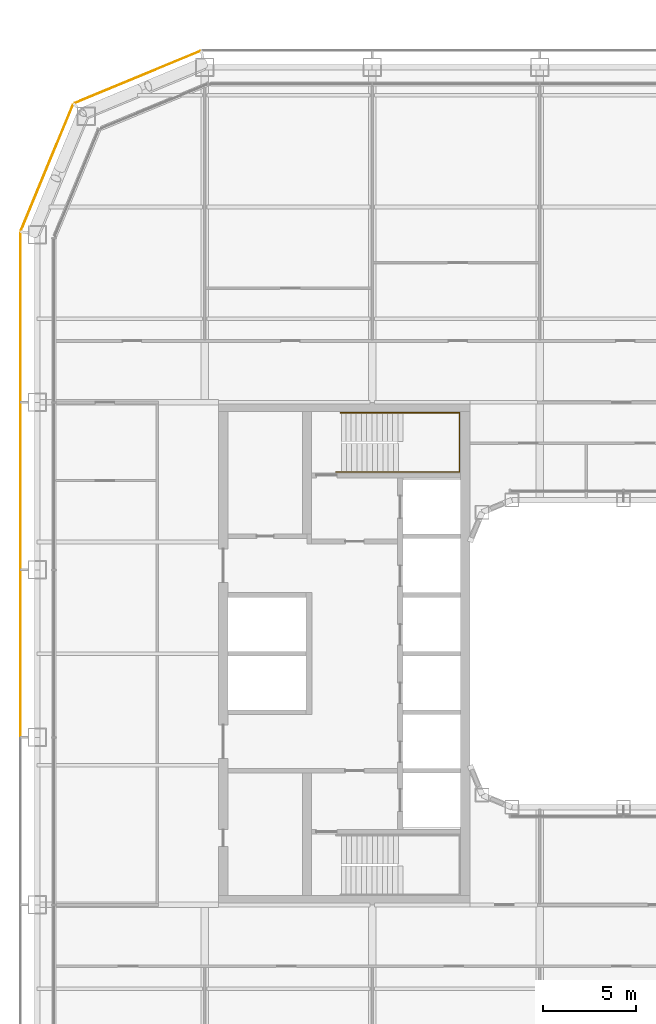
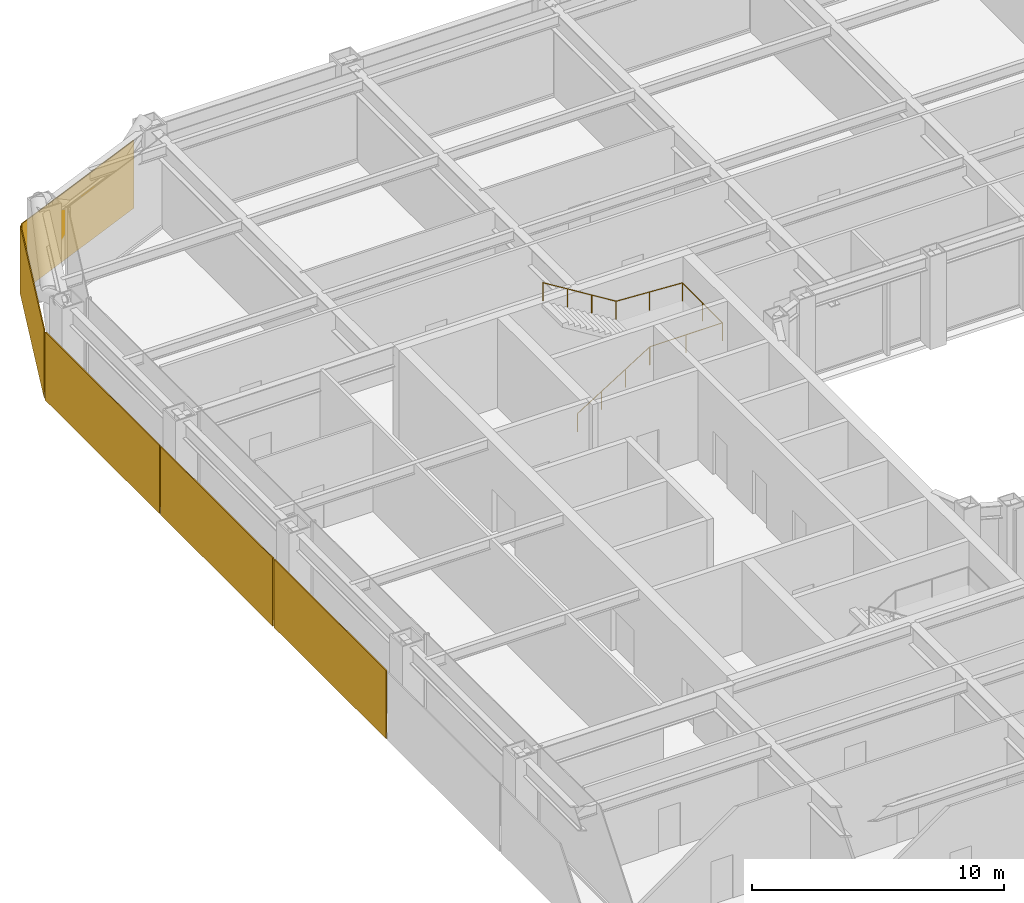
# One storey, part 27 of 30: 5 coverings, 1 railing.
"""IFC4 building model written with IfcOpenShell, lengths in metres."""

from ifc_helpers import new_model, si_unit, direction, frame, origin, origin_2d, place, context, subcontext, project, spatial, rectangle, circle, extrude, material, layer, layer_set, type_object, element, save


model = new_model("IFC4")

# Units and contexts
model_context = context("Model", 3, precision=1e-05, world=origin(), true_north=direction((0.0, 1.0)))
body_context = subcontext(model_context, "Body", "Model", "MODEL_VIEW")
ifc_project = project(units=[si_unit("LENGTHUNIT", "METRE"), si_unit("AREAUNIT", "SQUARE_METRE"), si_unit("VOLUMEUNIT", "CUBIC_METRE"), si_unit("PLANEANGLEUNIT", "RADIAN"), si_unit("MASSUNIT", "GRAM", prefix="KILO")], contexts=[model_context])

# Site, building, storey
site_placement = place(None, origin())
site = spatial("IfcSite", under=ifc_project, at=site_placement, CompositionType="ELEMENT")
building_placement = place(site_placement, origin())
building = spatial("IfcBuilding", under=site, at=building_placement, Name="Siwar Civic Tower", CompositionType="ELEMENT")
storey_placement = place(building_placement, frame((0.0, 0.0, 80.699951171875)))
storey = spatial("IfcBuildingStorey", under=building, at=storey_placement, Name="L17", CompositionType="ELEMENT", Elevation=80.699951171875)

# Railing
ifc_material_1 = material(Name="Stainless steel", Category="steel")
railing_type = type_object("IfcRailingType", Name="CORE-STAIR-HANDRAIL", PredefinedType="HANDRAIL", material=ifc_material_1)
railing_placement = place(storey_placement, frame((-15.449951171875, 9.758056640625, 0.173095703125)))
element("IfcRailing", 1, at=railing_placement, inside=storey, type_object=railing_type, Name="Stair handrail ST1", PredefinedType="HANDRAIL", context=body_context, shape_type="SweptSolid", body=[
    extrude(circle(Radius=0.02001953125, at=origin_2d()), frame((0.0, 0.0, 0.8798828125), z_axis=(0.847063342986, 0.0, 0.531491950051), x_axis=(0.0, 1.0, 0.0)), (0.0, 0.0, 1.0), 3.90771484375),
    extrude(circle(Radius=0.02001953125, at=origin_2d()), frame((3.31005859375, 0.0, 2.956787109375), z_axis=(1.0, 0.0, 0.0), x_axis=(0.0, 1.0, 0.0)), (0.0, 0.0, 1.0), 3.331787109375),
    extrude(circle(Radius=0.02001953125, at=origin_2d()), frame((6.641845703125, 0.0, 2.956787109375), z_axis=(0.0, 1.0, 0.0), x_axis=(-1.0, 0.0, 0.0)), (0.0, 0.0, 1.0), 3.183837890625),
    extrude(circle(Radius=0.02001953125, at=origin_2d()), frame((6.641845703125, 3.183837890625, 2.956787109375), z_axis=(-0.99837434197, 0.0, 0.056997134106), x_axis=(0.0, -1.0, 0.0)), (0.0, 0.0, 1.0), 3.036865234375),
    extrude(circle(Radius=0.02001953125, at=origin_2d()), frame((3.60986328125, 3.183837890625, 3.1298828125), z_axis=(-0.850606129759, 0.0, 0.525803396734), x_axis=(0.0, -1.0, 0.0)), (0.0, 0.0, 1.0), 3.949951171875),
    extrude(circle(Radius=0.02001953125, at=origin_2d()), origin(), (0.0, 0.0, 1.0), 0.85986328125),
    extrude(circle(Radius=0.02001953125, at=origin_2d()), frame((1.103271484375, 0.0, 0.6923828125)), (0.0, 0.0, 1.0), 0.85986328125),
    extrude(circle(Radius=0.02001953125, at=origin_2d()), frame((2.206787109375, 0.0, 1.384521484375)), (0.0, 0.0, 1.0), 0.85986328125),
    extrude(circle(Radius=0.02001953125, at=origin_2d()), frame((3.31005859375, 0.0, 2.076904296875)), (0.0, 0.0, 1.0), 0.85986328125),
    extrude(circle(Radius=0.02001953125, at=origin_2d()), frame((4.97607421875, 0.0, 2.076904296875)), (0.0, 0.0, 1.0), 0.85986328125),
    extrude(circle(Radius=0.02001953125, at=origin_2d()), frame((6.641845703125, 0.0, 2.076904296875)), (0.0, 0.0, 1.0), 0.85986328125),
    extrude(circle(Radius=0.02001953125, at=origin_2d()), frame((6.641845703125, 1.591796875, 2.076904296875)), (0.0, 0.0, 1.0), 0.85986328125),
    extrude(circle(Radius=0.02001953125, at=origin_2d()), frame((6.641845703125, 3.183837890625, 2.076904296875)), (0.0, 0.0, 1.0), 0.85986328125),
    extrude(circle(Radius=0.02001953125, at=origin_2d()), frame((5.1259765625, 3.183837890625, 2.16357421875)), (0.0, 0.0, 1.0), 0.85986328125),
    extrude(circle(Radius=0.02001953125, at=origin_2d()), frame((3.60986328125, 3.183837890625, 2.25)), (0.0, 0.0, 1.0), 0.85986328125),
    extrude(circle(Radius=0.02001953125, at=origin_2d()), frame((2.489990234375, 3.183837890625, 2.9423828125)), (0.0, 0.0, 1.0), 0.85986328125),
    extrude(circle(Radius=0.02001953125, at=origin_2d()), frame((1.369873046875, 3.183837890625, 3.634521484375)), (0.0, 0.0, 1.0), 0.85986328125),
    extrude(circle(Radius=0.02001953125, at=origin_2d()), frame((0.25, 3.183837890625, 4.326904296875)), (0.0, 0.0, 1.0), 0.85986328125),
])

# Coverings
ifc_material_2 = material(Name="Perforated aluminium cassette, pale metal", Category="aluminium")
ifc_layer_1 = layer(ifc_material_2, 0.0400390625)
ifc_layer_set_1 = layer_set([ifc_layer_1], Name="Perforated aluminium cassette, pale metal")
covering_type_1 = type_object("IfcCoveringType", Name="ENV-OUTER SKIN OS-1", PredefinedType="CLADDING", material=ifc_layer_set_1)
covering_1_placement = place(storey_placement, frame((-26.115966796875, 30.976318359375, -0.14990234375), z_axis=(0.0, 0.0, 1.0), x_axis=(-0.923879532511, -0.382683432365, 0.0)))
element("IfcCovering", 2, at=covering_1_placement, inside=storey, type_object=covering_type_1, Name="OUTER SKIN OS-1 NW1 1", PredefinedType="CLADDING", context=body_context, shape_type="SweptSolid", body=[
    extrude(rectangle(XDim=7.300048828125, YDim=0.0400390625, at=origin_2d()), origin(), (0.0, 0.0, 1.0), 3.300048828125),
])
ifc_material_3 = material(Name="Perforated aluminium cassette, pale metal", Category="aluminium")
ifc_layer_2 = layer(ifc_material_3, 0.044921875)
ifc_layer_set_2 = layer_set([ifc_layer_2], Name="Perforated aluminium cassette, pale metal")
covering_type_2 = type_object("IfcCoveringType", Name="ENV-OUTER SKIN OS-2", PredefinedType="CLADDING", material=ifc_layer_set_2)
covering_2_placement = place(storey_placement, frame((-30.976318359375, 26.115966796875, -0.14990234375), z_axis=(0.0, 0.0, 1.0), x_axis=(-0.382683432365, -0.923879532511, 0.0)))
element("IfcCovering", 3, at=covering_2_placement, inside=storey, type_object=covering_type_2, Name="OUTER SKIN OS-2 NW2 1", PredefinedType="CLADDING", context=body_context, shape_type="SweptSolid", body=[
    extrude(rectangle(XDim=7.300048828125, YDim=0.044921875, at=origin_2d()), origin(), (0.0, 0.0, 1.0), 3.300048828125),
])
ifc_material_4 = material(Name="Perforated aluminium cassette, pale metal", Category="aluminium")
ifc_layer_3 = layer(ifc_material_4, 0.050048828125)
ifc_layer_set_3 = layer_set([ifc_layer_3], Name="Perforated aluminium cassette, pale metal")
covering_type_3 = type_object("IfcCoveringType", Name="ENV-OUTER SKIN OS-3", PredefinedType="CLADDING", material=ifc_layer_set_3)
covering_3_placement = place(storey_placement, frame((-32.39990234375, 18.07958984375, -0.14990234375), z_axis=(0.0, 0.0, 1.0), x_axis=(0.0, -1.0, 0.0)))
element("IfcCovering", 4, at=covering_3_placement, inside=storey, type_object=covering_type_3, Name="OUTER SKIN OS-3 W 1", PredefinedType="CLADDING", context=body_context, shape_type="SweptSolid", body=[
    extrude(rectangle(XDim=9.05908203125, YDim=0.050048828125, at=origin_2d()), origin(), (0.0, 0.0, 1.0), 3.300048828125),
])
for number, where, z_axis, x_axis, name in (
    (5, (-32.39990234375, 9.0, -0.14990234375), (0.0, 0.0, 1.0), (0.0, -1.0, 0.0), "OUTER SKIN OS-3 W 2"),
    (6, (-32.39990234375, 0.0, -0.14990234375), (0.0, 0.0, 1.0), (0.0, -1.0, 0.0), "OUTER SKIN OS-3 W 3"),
):
    element("IfcCovering", number, at=place(storey_placement, frame(where, z_axis=z_axis, x_axis=x_axis)), inside=storey, type_object=covering_type_3, Name=name, PredefinedType="CLADDING", context=body_context, shape_type="SweptSolid", body=[
        extrude(rectangle(XDim=8.89990234375, YDim=0.050048828125, at=origin_2d()), origin(), (0.0, 0.0, 1.0), 3.300048828125),
    ])

save(model, "model.ifc")
